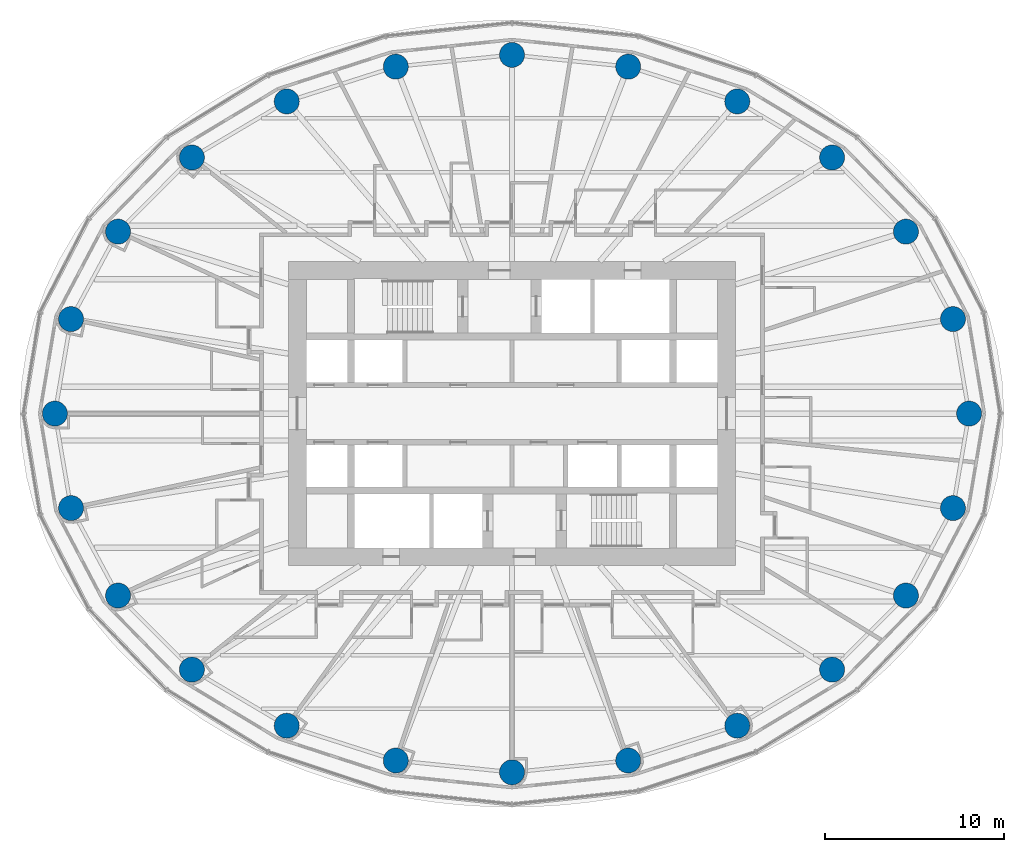
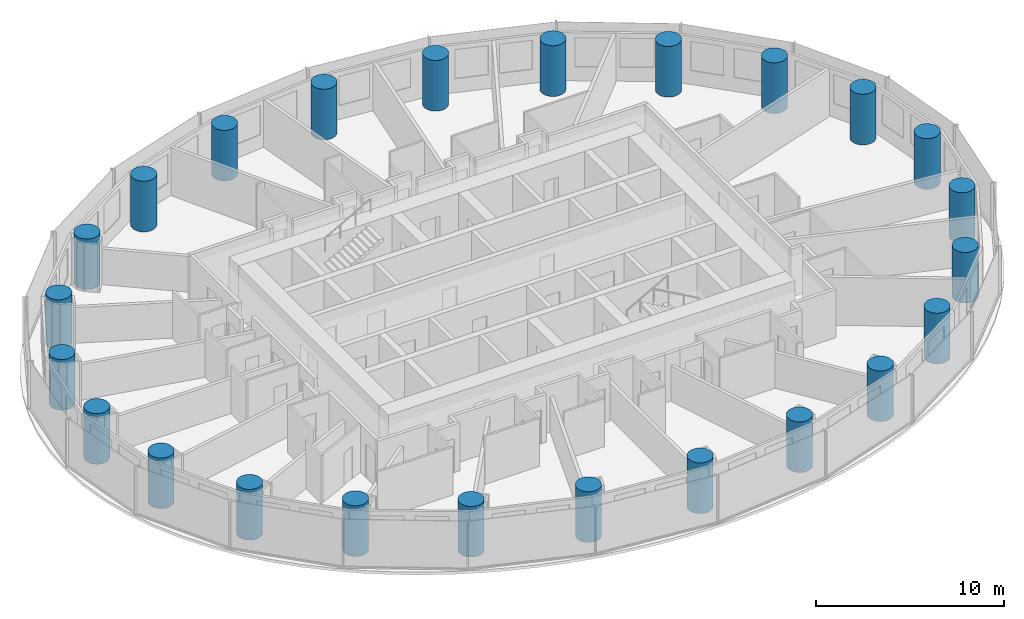
# One storey, part 1 of 14: 24 columns.
"""IFC4 building model written with IfcOpenShell, lengths in metres."""

import ifcopenshell
import ifcopenshell.guid

model = None  # the IFC model being written
_history = None  # IfcOwnerHistory: only IFC2X3 demands one
_inside = {}  # id of a spatial element -> (the spatial element, [elements in it])
_under = {}  # id of a project, library or spatial element -> (it, [spatial elements below it])
_declared = {}  # id of a project -> (the project, [libraries it declares])
_typed = {}  # id of a type object -> (the type object, [elements of that type])
_made_of = {}  # id of a material, layer set ... -> (it, [elements and type objects made of it])


def new_model(schema):
    """Start an empty IFC model of exactly this schema.

    Asked for "IFC4X3", IfcOpenShell would pick the latest addendum, in which some entities
    have other attributes; the version numbers below select the first issue.
    IFC2X3 requires an IfcOwnerHistory on every rooted entity: one is made here for all.
    """
    global model, _history
    if schema == "IFC4X3":
        model = ifcopenshell.file(schema_version=(4, 3, 0, 0))
    else:
        model = ifcopenshell.file(schema=schema)
    _inside.clear()
    _under.clear()
    _declared.clear()
    _typed.clear()
    _made_of.clear()
    _history = None
    if model.schema == "IFC2X3":
        org = make("IfcOrganization", Name="unknown")
        user = make(
            "IfcPersonAndOrganization",
            ThePerson=make("IfcPerson", FamilyName="unknown"),
            TheOrganization=org,
        )
        app = make(
            "IfcApplication",
            ApplicationDeveloper=org,
            Version="unknown",
            ApplicationFullName="unknown",
            ApplicationIdentifier="unknown",
        )
        _history = make(
            "IfcOwnerHistory",
            OwningUser=user,
            OwningApplication=app,
            ChangeAction="ADDED",
            CreationDate=0,
        )
    return model


def make(cls, **values):
    """One entity of the class cls with the attributes given. An attribute that is None is left unset."""
    return model.create_entity(
        cls, **{name: value for name, value in values.items() if value is not None}
    )


def rooted(cls, **values):
    """An entity with a GlobalId (a new one), such as an element, a storey or a relation."""
    return make(cls, GlobalId=ifcopenshell.guid.new(), OwnerHistory=_history, **values)


def si_unit(unit_type, name, prefix=None):
    """IfcSIUnit, for example si_unit("LENGTHUNIT", "METRE", prefix="MILLI")."""
    return make("IfcSIUnit", UnitType=unit_type, Prefix=prefix, Name=name)


def assignment(units):
    """IfcUnitAssignment: the units of a project."""
    return None if units is None else make("IfcUnitAssignment", Units=units)


def point(xyz):
    """IfcCartesianPoint."""
    return None if xyz is None else make("IfcCartesianPoint", Coordinates=xyz)


def direction(xyz):
    """IfcDirection."""
    return None if xyz is None else make("IfcDirection", DirectionRatios=xyz)


def frame(location, z_axis=None, x_axis=None):
    """IfcAxis2Placement3D, a coordinate frame: its origin and axes. An axis left out is left unset."""
    return make(
        "IfcAxis2Placement3D",
        Location=point(location),
        Axis=direction(z_axis),
        RefDirection=direction(x_axis),
    )


def frame_2d(location, x_axis=None):
    """IfcAxis2Placement2D, a coordinate frame in the plane: its origin and x axis."""
    return make(
        "IfcAxis2Placement2D", Location=point(location), RefDirection=direction(x_axis)
    )


def origin():
    """The frame at (0, 0, 0) with its axes left unset."""
    return frame((0.0, 0.0, 0.0))


def origin_2d():
    """The frame at (0, 0) in the plane with its x axis left unset."""
    return frame_2d((0.0, 0.0))


def place(relative_to, where):
    """IfcLocalPlacement: puts the frame where relative to a parent placement (None: the world)."""
    return make(
        "IfcLocalPlacement", PlacementRelTo=relative_to, RelativePlacement=where
    )


def context(
    kind, dimensions, precision=None, world=None, true_north=None, identifier=None
):
    """IfcGeometricRepresentationContext, for example the 3D "Model" context."""
    return make(
        "IfcGeometricRepresentationContext",
        ContextIdentifier=identifier,
        ContextType=kind,
        CoordinateSpaceDimension=dimensions,
        Precision=precision,
        WorldCoordinateSystem=world,
        TrueNorth=true_north,
    )


def subcontext(parent, identifier, kind, view, scale=None):
    """IfcGeometricRepresentationSubContext, for example "Body" below "Model"."""
    return make(
        "IfcGeometricRepresentationSubContext",
        ContextIdentifier=identifier,
        ContextType=kind,
        ParentContext=parent,
        TargetScale=scale,
        TargetView=view,
    )


def project(units=None, contexts=None):
    """IfcProject with its units and contexts."""
    return rooted(
        "IfcProject",
        Name="project",
        RepresentationContexts=contexts,
        UnitsInContext=assignment(units),
    )


def spatial(cls, under=None, at=None, **own):
    """A site, building, storey or space (cls), placed at a placement, below another one or the project."""
    s = rooted(cls, ObjectPlacement=at, **own)
    if under is not None:
        _under.setdefault(under.id(), (under, []))[1].append(s)
    return s


def profile(cls, at=None, kind="AREA", **sizes):
    """A parametric profile (cls). Its sizes go by their IFC names, for example OverallWidth=200.0."""
    return make(cls, ProfileType=kind, Position=at, **sizes)


def circle(**sizes):
    """IfcCircleProfileDef."""
    return profile("IfcCircleProfileDef", **sizes)


def extrude(swept, where, along, depth):
    """IfcExtrudedAreaSolid: the profile swept, set in the frame where, extruded along a direction by depth."""
    return make(
        "IfcExtrudedAreaSolid",
        SweptArea=swept,
        Position=where,
        ExtrudedDirection=direction(along),
        Depth=depth,
    )


def shape(context_of_items, identifier, shape_type, items):
    """IfcShapeRepresentation: the items that make up one representation, for example the "Body"."""
    return make(
        "IfcShapeRepresentation",
        ContextOfItems=context_of_items,
        RepresentationIdentifier=identifier,
        RepresentationType=shape_type,
        Items=items,
    )


def material(Name=None, Category=None):
    """IfcMaterial."""
    return make("IfcMaterial", Name=Name, Category=Category)


def material_profile(
    of_material, cross_section, Name=None, Category=None, Priority=None
):
    """IfcMaterialProfile: a cross section and its material."""
    return make(
        "IfcMaterialProfile",
        Name=Name,
        Material=of_material,
        Profile=cross_section,
        Priority=Priority,
        Category=Category,
    )


def profile_set(profiles, Name=None, composite=None):
    """IfcMaterialProfileSet."""
    return make(
        "IfcMaterialProfileSet",
        Name=Name,
        MaterialProfiles=profiles,
        CompositeProfile=composite,
    )


def made_of(thing, what):
    """Note that an element or type object is made of a material, layer set ...; save() writes the relation."""
    if what is not None:
        _made_of.setdefault(what.id(), (what, []))[1].append(thing)
    return thing


def type_object(cls, material=None, **own):
    """A type object (cls), such as IfcWallType, which elements share."""
    return made_of(rooted(cls, **own), material)


def element(
    cls,
    number,
    at=None,
    inside=None,
    cuts=None,
    type_object=None,
    material=None,
    context=None,
    identifier="Body",
    shape_type=None,
    held_by="IfcProductDefinitionShape",
    body=None,
    shapes=None,
    **own,
):
    """One element of the class cls, such as IfcWall. Its Tag is "e" and its number.

    at: its placement. inside: the storey or other place that contains it. cuts: it is an
    opening in that element (IfcRelVoidsElement). A single representation is given by context,
    identifier, shape_type and body (its items); several are given by shapes. held_by: the class
    of the entity that holds the representations. save() writes the other relations.
    """
    e = rooted(cls, Tag="e%d" % number, ObjectPlacement=at, **own)
    if body is not None:
        shapes = [shape(context, identifier, shape_type, body)]
    if shapes is not None:
        e.Representation = make(held_by, Representations=shapes)
    if inside is not None:
        _inside.setdefault(inside.id(), (inside, []))[1].append(e)
    if cuts is not None:
        rooted(
            "IfcRelVoidsElement", RelatingBuildingElement=cuts, RelatedOpeningElement=e
        )
    if type_object is not None:
        _typed.setdefault(type_object.id(), (type_object, []))[1].append(e)
    return made_of(e, material)


def aggregate(whole, parts):
    """IfcRelAggregates: a whole, such as a stair, and the parts it consists of."""
    return rooted("IfcRelAggregates", RelatingObject=whole, RelatedObjects=parts)


def save(model, path):
    """Write the relations noted so far, then the file.

    IfcRelAggregates (storeys below a building ...), IfcRelContainedInSpatialStructure (elements
    in a storey), IfcRelDefinesByType, IfcRelAssociatesMaterial and IfcRelDeclares: one each for
    every whole, place, type object, material and project.
    """
    for whole, parts in _under.values():
        aggregate(whole, parts)
    for where, things in _inside.values():
        rooted(
            "IfcRelContainedInSpatialStructure",
            RelatedElements=things,
            RelatingStructure=where,
        )
    for kind, things in _typed.values():
        rooted("IfcRelDefinesByType", RelatedObjects=things, RelatingType=kind)
    for what, things in _made_of.values():
        rooted("IfcRelAssociatesMaterial", RelatedObjects=things, RelatingMaterial=what)
    for by, libraries in _declared.values():
        rooted("IfcRelDeclares", RelatingContext=by, RelatedDefinitions=libraries)
    model.write(path)


model = new_model("IFC4")

# Units and contexts
model_context = context("Model", 3, precision=1e-05, world=origin(), true_north=direction((0.0, 1.0)))
body_context = subcontext(model_context, "Body", "Model", "MODEL_VIEW")
ifc_project = project(units=[si_unit("LENGTHUNIT", "METRE"), si_unit("AREAUNIT", "SQUARE_METRE"), si_unit("VOLUMEUNIT", "CUBIC_METRE"), si_unit("PLANEANGLEUNIT", "RADIAN"), si_unit("MASSUNIT", "GRAM", prefix="KILO")], contexts=[model_context])

# Site, building, storey
site_placement = place(None, origin())
site = spatial("IfcSite", under=ifc_project, at=site_placement, CompositionType="ELEMENT")
building_placement = place(site_placement, origin())
building = spatial("IfcBuilding", under=site, at=building_placement, Name="Hankou Lantern Tower", CompositionType="ELEMENT")
storey_placement = place(building_placement, frame((0.0, 0.0, 50.699951171875)))
storey = spatial("IfcBuildingStorey", under=building, at=storey_placement, Name="L11", CompositionType="ELEMENT", Elevation=50.699951171875)

# Columns
ifc_material = material(Name="Concrete C60", Category="concrete")
ifc_material_profile = material_profile(ifc_material, circle(Radius=0.699951171875, at=origin_2d()), Name="RC D1400")
ifc_profile_set = profile_set([ifc_material_profile], Name="Concrete C60")
column_type = type_object("IfcColumnType", Name="TC2 PERIMETER COLUMN RC D1400", PredefinedType="COLUMN", material=ifc_profile_set)
for number, where, z_axis, x_axis, name in (
    (1, (25.550048828125, 0.0, 0.0), (0.0, 0.0, 1.0), (1.0, 0.0, 0.0), "Column R01 L11"),
    (2, (24.64697265625, 5.283203125, 0.0), (0.0, 0.0, 1.0), (1.0, 0.0, 0.0), "Column R02 L11"),
    (3, (22.01904296875, 10.170166015625, 0.0), (0.0, 0.0, 1.0), (1.0, 0.0, 0.0), "Column R03 L11"),
    (4, (17.891845703125, 14.3134765625, 0.0), (0.0, 0.0, 1.0), (1.0, 0.0, 0.0), "Column R04 L11"),
    (5, (12.5908203125, 17.446533203125, 0.0), (0.0, 0.0, 1.0), (1.0, 0.0, 0.0), "Column R05 L11"),
    (6, (6.494873046875, 19.391357421875, 0.0), (0.0, 0.0, 1.0), (1.0, 0.0, 0.0), "Column R06 L11"),
    (7, (0.0, 20.050048828125, 0.0), (0.0, 0.0, 1.0), (1.0, 0.0, 0.0), "Column R07 L11"),
    (8, (-6.494873046875, 19.391357421875, 0.0), (0.0, 0.0, 1.0), (1.0, 0.0, 0.0), "Column R08 L11"),
    (9, (-12.5908203125, 17.446533203125, 0.0), (0.0, 0.0, 1.0), (1.0, 0.0, 0.0), "Column R09 L11"),
    (10, (-17.891845703125, 14.3134765625, 0.0), (0.0, 0.0, 1.0), (1.0, 0.0, 0.0), "Column R10 L11"),
    (11, (-22.01904296875, 10.170166015625, 0.0), (0.0, 0.0, 1.0), (1.0, 0.0, 0.0), "Column R11 L11"),
    (12, (-24.64697265625, 5.283203125, 0.0), (0.0, 0.0, 1.0), (1.0, 0.0, 0.0), "Column R12 L11"),
    (13, (-25.550048828125, 0.0, 0.0), (0.0, 0.0, 1.0), (1.0, 0.0, 0.0), "Column R13 L11"),
    (14, (-24.64697265625, -5.283203125, 0.0), (0.0, 0.0, 1.0), (1.0, 0.0, 0.0), "Column R14 L11"),
    (15, (-22.01904296875, -10.170166015625, 0.0), (0.0, 0.0, 1.0), (1.0, 0.0, 0.0), "Column R15 L11"),
    (16, (-17.891845703125, -14.3134765625, 0.0), (0.0, 0.0, 1.0), (1.0, 0.0, 0.0), "Column R16 L11"),
    (17, (-12.5908203125, -17.446533203125, 0.0), (0.0, 0.0, 1.0), (1.0, 0.0, 0.0), "Column R17 L11"),
    (18, (-6.494873046875, -19.391357421875, 0.0), (0.0, 0.0, 1.0), (1.0, 0.0, 0.0), "Column R18 L11"),
    (19, (0.0, -20.050048828125, 0.0), (0.0, 0.0, 1.0), (1.0, 0.0, 0.0), "Column R19 L11"),
    (20, (6.494873046875, -19.391357421875, 0.0), (0.0, 0.0, 1.0), (1.0, 0.0, 0.0), "Column R20 L11"),
    (21, (12.5908203125, -17.446533203125, 0.0), (0.0, 0.0, 1.0), (1.0, 0.0, 0.0), "Column R21 L11"),
    (22, (17.891845703125, -14.3134765625, 0.0), (0.0, 0.0, 1.0), (1.0, 0.0, 0.0), "Column R22 L11"),
    (23, (22.01904296875, -10.170166015625, 0.0), (0.0, 0.0, 1.0), (1.0, 0.0, 0.0), "Column R23 L11"),
    (24, (24.64697265625, -5.283203125, 0.0), (0.0, 0.0, 1.0), (1.0, 0.0, 0.0), "Column R24 L11"),
):
    element("IfcColumn", number, at=place(storey_placement, frame(where, z_axis=z_axis, x_axis=x_axis)), inside=storey, type_object=column_type, Name=name, PredefinedType="COLUMN", context=body_context, shape_type="SweptSolid", body=[
        extrude(circle(Radius=0.699951171875, at=origin_2d()), origin(), (0.0, 0.0, 1.0), 3.300048828125),
    ])

save(model, "model.ifc")
